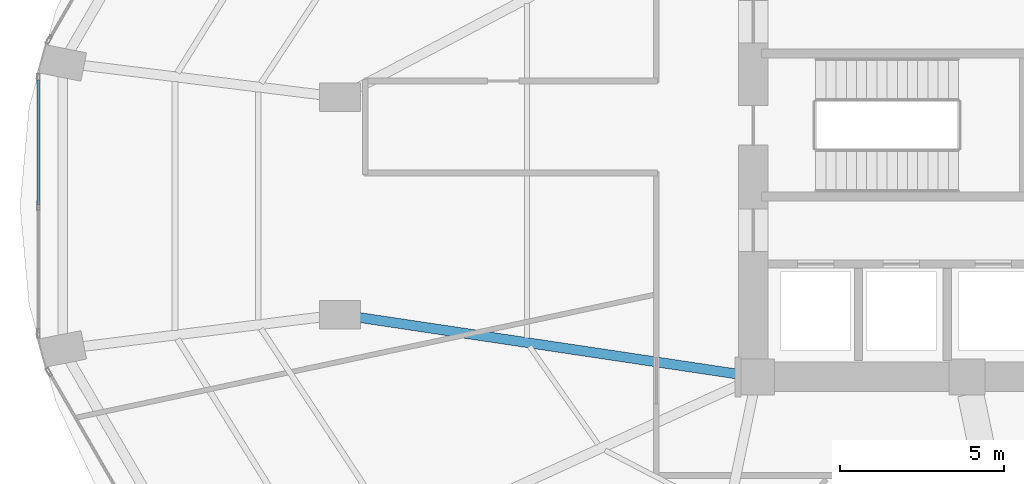
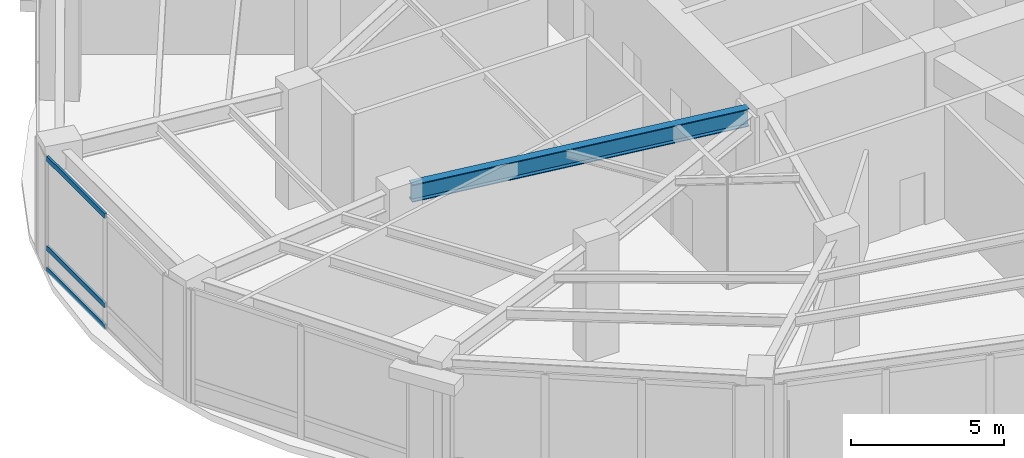
# One storey, part 7 of 24: 3 members, 1 beam, 1 element without a shape of its own.
"""IFC4 building model written with IfcOpenShell, lengths in metres."""

from ifc_helpers import new_model, si_unit, direction, frame, origin, origin_2d, place, context, subcontext, project, spatial, hollow_rectangle, i_section, extrude, material, layer, layer_set, material_profile, profile_set, type_object, element, aggregate, save


model = new_model("IFC4")

# Units and contexts
model_context = context("Model", 3, precision=1e-05, world=origin(), true_north=direction((0.0, 1.0)))
body_context = subcontext(model_context, "Body", "Model", "MODEL_VIEW")
ifc_project = project(units=[si_unit("LENGTHUNIT", "METRE"), si_unit("AREAUNIT", "SQUARE_METRE"), si_unit("VOLUMEUNIT", "CUBIC_METRE"), si_unit("PLANEANGLEUNIT", "RADIAN"), si_unit("MASSUNIT", "GRAM", prefix="KILO")], contexts=[model_context])

# Site, building, storey
site_placement = place(None, origin())
site = spatial("IfcSite", under=ifc_project, at=site_placement, CompositionType="ELEMENT")
building_placement = place(site_placement, origin())
building = spatial("IfcBuilding", under=site, at=building_placement, Name="Lazwardi Medical Tower", CompositionType="ELEMENT")
storey_placement = place(building_placement, frame((0.0, 0.0, 10.800048828125)))
storey = spatial("IfcBuildingStorey", under=building, at=storey_placement, Name="L02", CompositionType="ELEMENT", Elevation=10.800048828125)

# Beam
ifc_material_1 = material(Name="Steel S355", Category="steel")
ifc_material_profile_1 = material_profile(ifc_material_1, i_section(OverallWidth=0.300048828125, OverallDepth=0.699951171875, WebThickness=0.01708984375, FlangeThickness=0.031982421875, at=origin_2d()), Name="HEB 700")
ifc_profile_set_1 = profile_set([ifc_material_profile_1], Name="Steel S355")
beam_type = type_object("IfcBeamType", Name="BM-RG-P1", PredefinedType="BEAM", material=ifc_profile_set_1)
beam_placement = place(storey_placement, frame((14.132568359375, 22.23486328125, 4.169921875), z_axis=(0.988996622553, -0.147938097117, 0.0), x_axis=(0.147938097117, 0.988996622553, 0.0)))
element("IfcBeam", 1, at=beam_placement, inside=storey, type_object=beam_type, Name="Radial girder RG-01 R13B L02", PredefinedType="BEAM", context=body_context, shape_type="SweptSolid", body=[
    extrude(i_section(OverallWidth=0.300048828125, OverallDepth=0.699951171875, WebThickness=0.01708984375, FlangeThickness=0.031982421875, at=origin_2d()), origin(), (0.0, 0.0, 1.0), 11.868896484375),
])

# Curtain wall, members
ifc_material_2 = material(Name="Anodised bronze aluminium and solar control glazing", Category="aluminium")
ifc_layer = layer(ifc_material_2, 0.219970703125)
ifc_layer_set = layer_set([ifc_layer], Name="Anodised bronze aluminium and solar control glazing")
curtain_wall_type = type_object("IfcCurtainWallType", Name="CW-SYS-01", PredefinedType="NOTDEFINED", material=ifc_layer_set)
curtain_wall_placement = place(storey_placement, origin())
curtain_wall = element("IfcCurtainWall", 2, at=curtain_wall_placement, inside=storey, type_object=curtain_wall_type, Name="L02 Unitised bronze curtain wall CW-01", PredefinedType="NOTDEFINED")
ifc_material_3 = material(Name="Anodised bronze aluminium", Category="aluminium")
ifc_material_profile_2 = material_profile(ifc_material_3, hollow_rectangle(XDim=0.0849609375, YDim=0.199951171875, WallThickness=0.00439453125, at=origin_2d()), Name="ALU-TRANSOM 200x85x4.5")
ifc_profile_set_2 = profile_set([ifc_material_profile_2], Name="Anodised bronze aluminium")
member_type = type_object("IfcMemberType", Name="CW-TRN-02", PredefinedType="USERDEFINED", material=ifc_profile_set_2)
member_1_placement = place(storey_placement, frame((4.560302734375, 29.43408203125, 0.04248046875), z_axis=(0.0, -1.0, 0.0), x_axis=(1.0, 0.0, 0.0)))
member_1 = element("IfcMember", 3, at=member_1_placement, type_object=member_type, Name="CW-01 transom 1.1", ObjectType="TRANSOM", PredefinedType="USERDEFINED", context=body_context, shape_type="SweptSolid", body=[
    extrude(hollow_rectangle(XDim=0.0849609375, YDim=0.199951171875, WallThickness=0.00439453125, at=origin_2d()), origin(), (0.0, 0.0, 1.0), 3.79150390625),
])
member_2_placement = place(storey_placement, frame((4.560302734375, 29.43408203125, 0.89990234375), z_axis=(0.0, -1.0, 0.0), x_axis=(1.0, 0.0, 0.0)))
member_2 = element("IfcMember", 4, at=member_2_placement, type_object=member_type, Name="CW-01 transom 1.2", ObjectType="TRANSOM", PredefinedType="USERDEFINED", context=body_context, shape_type="SweptSolid", body=[
    extrude(hollow_rectangle(XDim=0.0849609375, YDim=0.199951171875, WallThickness=0.00439453125, at=origin_2d()), origin(), (0.0, 0.0, 1.0), 3.79150390625),
])
member_3_placement = place(storey_placement, frame((4.560302734375, 29.43408203125, 4.4775390625), z_axis=(0.0, -1.0, 0.0), x_axis=(1.0, 0.0, 0.0)))
member_3 = element("IfcMember", 5, at=member_3_placement, type_object=member_type, Name="CW-01 transom 1.3", ObjectType="TRANSOM", PredefinedType="USERDEFINED", context=body_context, shape_type="SweptSolid", body=[
    extrude(hollow_rectangle(XDim=0.0849609375, YDim=0.199951171875, WallThickness=0.00439453125, at=origin_2d()), origin(), (0.0, 0.0, 1.0), 3.79150390625),
])
aggregate(curtain_wall, [member_1, member_2, member_3])

save(model, "model.ifc")
